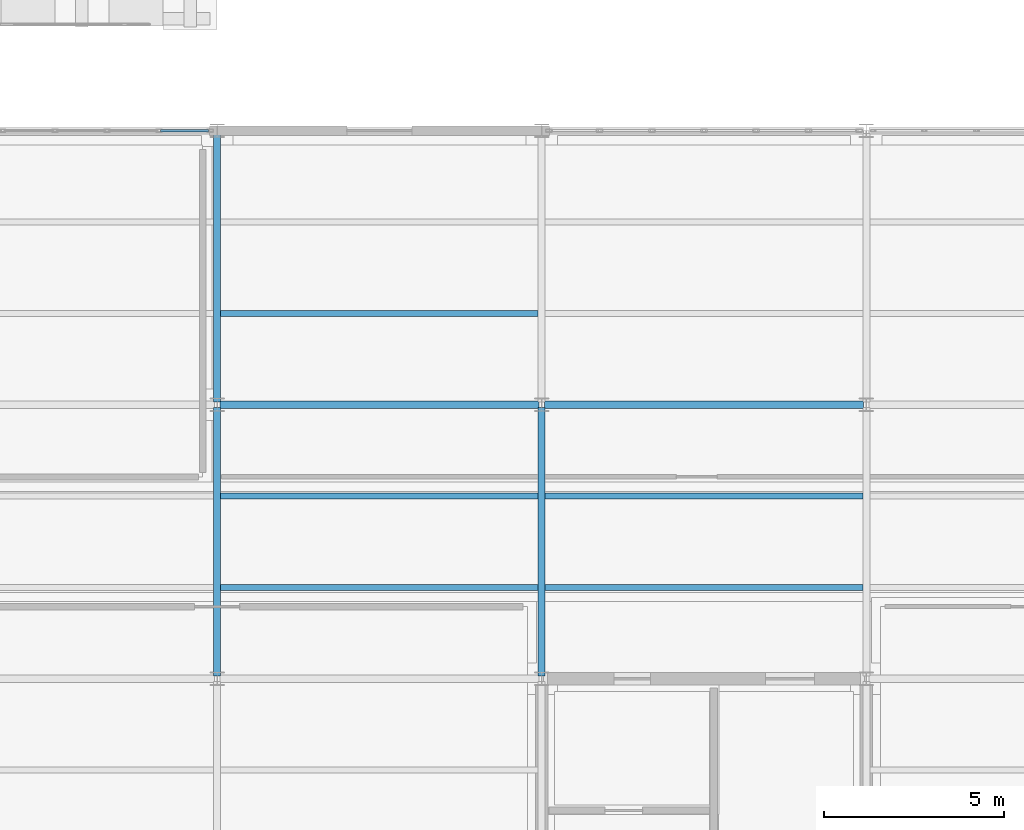
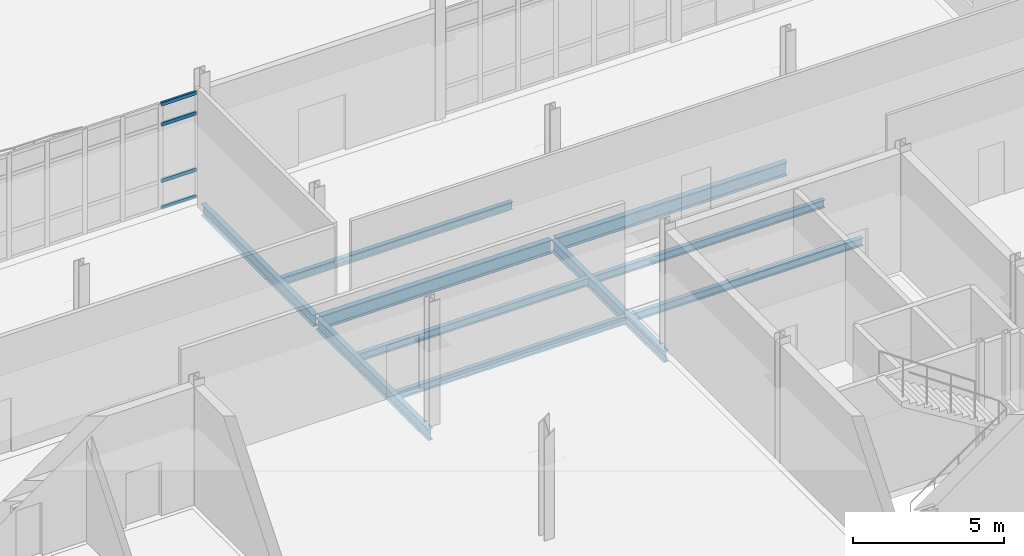
# One storey, part 56 of 161: 10 beams, 4 members, 1 element without a shape of its own.
"""IFC4 building model written with IfcOpenShell, lengths in metres."""

import ifcopenshell
import ifcopenshell.guid

model = None  # the IFC model being written
_history = None  # IfcOwnerHistory: only IFC2X3 demands one
_inside = {}  # id of a spatial element -> (the spatial element, [elements in it])
_under = {}  # id of a project, library or spatial element -> (it, [spatial elements below it])
_declared = {}  # id of a project -> (the project, [libraries it declares])
_typed = {}  # id of a type object -> (the type object, [elements of that type])
_made_of = {}  # id of a material, layer set ... -> (it, [elements and type objects made of it])


def new_model(schema):
    """Start an empty IFC model of exactly this schema.

    Asked for "IFC4X3", IfcOpenShell would pick the latest addendum, in which some entities
    have other attributes; the version numbers below select the first issue.
    IFC2X3 requires an IfcOwnerHistory on every rooted entity: one is made here for all.
    """
    global model, _history
    if schema == "IFC4X3":
        model = ifcopenshell.file(schema_version=(4, 3, 0, 0))
    else:
        model = ifcopenshell.file(schema=schema)
    _inside.clear()
    _under.clear()
    _declared.clear()
    _typed.clear()
    _made_of.clear()
    _history = None
    if model.schema == "IFC2X3":
        org = make("IfcOrganization", Name="unknown")
        user = make(
            "IfcPersonAndOrganization",
            ThePerson=make("IfcPerson", FamilyName="unknown"),
            TheOrganization=org,
        )
        app = make(
            "IfcApplication",
            ApplicationDeveloper=org,
            Version="unknown",
            ApplicationFullName="unknown",
            ApplicationIdentifier="unknown",
        )
        _history = make(
            "IfcOwnerHistory",
            OwningUser=user,
            OwningApplication=app,
            ChangeAction="ADDED",
            CreationDate=0,
        )
    return model


def make(cls, **values):
    """One entity of the class cls with the attributes given. An attribute that is None is left unset."""
    return model.create_entity(
        cls, **{name: value for name, value in values.items() if value is not None}
    )


def rooted(cls, **values):
    """An entity with a GlobalId (a new one), such as an element, a storey or a relation."""
    return make(cls, GlobalId=ifcopenshell.guid.new(), OwnerHistory=_history, **values)


def si_unit(unit_type, name, prefix=None):
    """IfcSIUnit, for example si_unit("LENGTHUNIT", "METRE", prefix="MILLI")."""
    return make("IfcSIUnit", UnitType=unit_type, Prefix=prefix, Name=name)


def assignment(units):
    """IfcUnitAssignment: the units of a project."""
    return None if units is None else make("IfcUnitAssignment", Units=units)


def point(xyz):
    """IfcCartesianPoint."""
    return None if xyz is None else make("IfcCartesianPoint", Coordinates=xyz)


def direction(xyz):
    """IfcDirection."""
    return None if xyz is None else make("IfcDirection", DirectionRatios=xyz)


def frame(location, z_axis=None, x_axis=None):
    """IfcAxis2Placement3D, a coordinate frame: its origin and axes. An axis left out is left unset."""
    return make(
        "IfcAxis2Placement3D",
        Location=point(location),
        Axis=direction(z_axis),
        RefDirection=direction(x_axis),
    )


def frame_2d(location, x_axis=None):
    """IfcAxis2Placement2D, a coordinate frame in the plane: its origin and x axis."""
    return make(
        "IfcAxis2Placement2D", Location=point(location), RefDirection=direction(x_axis)
    )


def origin():
    """The frame at (0, 0, 0) with its axes left unset."""
    return frame((0.0, 0.0, 0.0))


def origin_2d():
    """The frame at (0, 0) in the plane with its x axis left unset."""
    return frame_2d((0.0, 0.0))


def place(relative_to, where):
    """IfcLocalPlacement: puts the frame where relative to a parent placement (None: the world)."""
    return make(
        "IfcLocalPlacement", PlacementRelTo=relative_to, RelativePlacement=where
    )


def context(
    kind, dimensions, precision=None, world=None, true_north=None, identifier=None
):
    """IfcGeometricRepresentationContext, for example the 3D "Model" context."""
    return make(
        "IfcGeometricRepresentationContext",
        ContextIdentifier=identifier,
        ContextType=kind,
        CoordinateSpaceDimension=dimensions,
        Precision=precision,
        WorldCoordinateSystem=world,
        TrueNorth=true_north,
    )


def subcontext(parent, identifier, kind, view, scale=None):
    """IfcGeometricRepresentationSubContext, for example "Body" below "Model"."""
    return make(
        "IfcGeometricRepresentationSubContext",
        ContextIdentifier=identifier,
        ContextType=kind,
        ParentContext=parent,
        TargetScale=scale,
        TargetView=view,
    )


def project(units=None, contexts=None):
    """IfcProject with its units and contexts."""
    return rooted(
        "IfcProject",
        Name="project",
        RepresentationContexts=contexts,
        UnitsInContext=assignment(units),
    )


def spatial(cls, under=None, at=None, **own):
    """A site, building, storey or space (cls), placed at a placement, below another one or the project."""
    s = rooted(cls, ObjectPlacement=at, **own)
    if under is not None:
        _under.setdefault(under.id(), (under, []))[1].append(s)
    return s


def profile(cls, at=None, kind="AREA", **sizes):
    """A parametric profile (cls). Its sizes go by their IFC names, for example OverallWidth=200.0."""
    return make(cls, ProfileType=kind, Position=at, **sizes)


def hollow_rectangle(**sizes):
    """IfcRectangleHollowProfileDef."""
    return profile("IfcRectangleHollowProfileDef", **sizes)


def i_section(**sizes):
    """IfcIShapeProfileDef."""
    return profile("IfcIShapeProfileDef", **sizes)


def extrude(swept, where, along, depth):
    """IfcExtrudedAreaSolid: the profile swept, set in the frame where, extruded along a direction by depth."""
    return make(
        "IfcExtrudedAreaSolid",
        SweptArea=swept,
        Position=where,
        ExtrudedDirection=direction(along),
        Depth=depth,
    )


def shape(context_of_items, identifier, shape_type, items):
    """IfcShapeRepresentation: the items that make up one representation, for example the "Body"."""
    return make(
        "IfcShapeRepresentation",
        ContextOfItems=context_of_items,
        RepresentationIdentifier=identifier,
        RepresentationType=shape_type,
        Items=items,
    )


def material(Name=None, Category=None):
    """IfcMaterial."""
    return make("IfcMaterial", Name=Name, Category=Category)


def material_profile(
    of_material, cross_section, Name=None, Category=None, Priority=None
):
    """IfcMaterialProfile: a cross section and its material."""
    return make(
        "IfcMaterialProfile",
        Name=Name,
        Material=of_material,
        Profile=cross_section,
        Priority=Priority,
        Category=Category,
    )


def profile_set(profiles, Name=None, composite=None):
    """IfcMaterialProfileSet."""
    return make(
        "IfcMaterialProfileSet",
        Name=Name,
        MaterialProfiles=profiles,
        CompositeProfile=composite,
    )


def made_of(thing, what):
    """Note that an element or type object is made of a material, layer set ...; save() writes the relation."""
    if what is not None:
        _made_of.setdefault(what.id(), (what, []))[1].append(thing)
    return thing


def type_object(cls, material=None, **own):
    """A type object (cls), such as IfcWallType, which elements share."""
    return made_of(rooted(cls, **own), material)


def element(
    cls,
    number,
    at=None,
    inside=None,
    cuts=None,
    type_object=None,
    material=None,
    context=None,
    identifier="Body",
    shape_type=None,
    held_by="IfcProductDefinitionShape",
    body=None,
    shapes=None,
    **own,
):
    """One element of the class cls, such as IfcWall. Its Tag is "e" and its number.

    at: its placement. inside: the storey or other place that contains it. cuts: it is an
    opening in that element (IfcRelVoidsElement). A single representation is given by context,
    identifier, shape_type and body (its items); several are given by shapes. held_by: the class
    of the entity that holds the representations. save() writes the other relations.
    """
    e = rooted(cls, Tag="e%d" % number, ObjectPlacement=at, **own)
    if body is not None:
        shapes = [shape(context, identifier, shape_type, body)]
    if shapes is not None:
        e.Representation = make(held_by, Representations=shapes)
    if inside is not None:
        _inside.setdefault(inside.id(), (inside, []))[1].append(e)
    if cuts is not None:
        rooted(
            "IfcRelVoidsElement", RelatingBuildingElement=cuts, RelatedOpeningElement=e
        )
    if type_object is not None:
        _typed.setdefault(type_object.id(), (type_object, []))[1].append(e)
    return made_of(e, material)


def aggregate(whole, parts):
    """IfcRelAggregates: a whole, such as a stair, and the parts it consists of."""
    return rooted("IfcRelAggregates", RelatingObject=whole, RelatedObjects=parts)


def save(model, path):
    """Write the relations noted so far, then the file.

    IfcRelAggregates (storeys below a building ...), IfcRelContainedInSpatialStructure (elements
    in a storey), IfcRelDefinesByType, IfcRelAssociatesMaterial and IfcRelDeclares: one each for
    every whole, place, type object, material and project.
    """
    for whole, parts in _under.values():
        aggregate(whole, parts)
    for where, things in _inside.values():
        rooted(
            "IfcRelContainedInSpatialStructure",
            RelatedElements=things,
            RelatingStructure=where,
        )
    for kind, things in _typed.values():
        rooted("IfcRelDefinesByType", RelatedObjects=things, RelatingType=kind)
    for what, things in _made_of.values():
        rooted("IfcRelAssociatesMaterial", RelatedObjects=things, RelatingMaterial=what)
    for by, libraries in _declared.values():
        rooted("IfcRelDeclares", RelatingContext=by, RelatedDefinitions=libraries)
    model.write(path)


model = new_model("IFC4")

# Units and contexts
model_context = context("Model", 3, precision=1e-05, world=origin(), true_north=direction((0.0, 1.0)))
body_context = subcontext(model_context, "Body", "Model", "MODEL_VIEW")
ifc_project = project(units=[si_unit("LENGTHUNIT", "METRE"), si_unit("AREAUNIT", "SQUARE_METRE"), si_unit("VOLUMEUNIT", "CUBIC_METRE"), si_unit("PLANEANGLEUNIT", "RADIAN"), si_unit("MASSUNIT", "GRAM", prefix="KILO")], contexts=[model_context])

# Site, building, storey
site_placement = place(None, origin())
site = spatial("IfcSite", under=ifc_project, at=site_placement, CompositionType="ELEMENT")
building_placement = place(site_placement, origin())
building = spatial("IfcBuilding", under=site, at=building_placement, Name="Caisbarro Railhouse Central Library", CompositionType="ELEMENT")
storey_placement = place(building_placement, origin())
storey = spatial("IfcBuildingStorey", under=building, at=storey_placement, Name="L00", CompositionType="ELEMENT", Elevation=0.0)

# Beams
ifc_material_1 = material(Name="Steel ASTM A572 Grade 50", Category="steel")
ifc_material_profile_1 = material_profile(ifc_material_1, i_section(OverallWidth=0.2119140625, OverallDepth=0.5439453125, WebThickness=0.01318359375, FlangeThickness=0.021240234375, FilletRadius=0.02001953125, at=origin_2d()), Name="W530X123.0")
ifc_profile_set_1 = profile_set([ifc_material_profile_1], Name="Steel ASTM A572 Grade 50")
beam_type_1 = type_object("IfcBeamType", Name="BM-G05", PredefinedType="BEAM", material=ifc_profile_set_1)
for number, where, z_axis, x_axis, name in (
    (1, (81.080078125, 22.800048828125, -0.552001953125), (1.0, 0.0, 0.0), (0.0, 1.0, 0.0), "G05 beam L00 #171"),
    (2, (90.080078125, 22.800048828125, -0.552001953125), (1.0, 0.0, 0.0), (0.0, 1.0, 0.0), "G05 beam L00 #172"),
):
    element("IfcBeam", number, at=place(storey_placement, frame(where, z_axis=z_axis, x_axis=x_axis)), inside=storey, type_object=beam_type_1, Name=name, PredefinedType="BEAM", context=body_context, shape_type="SweptSolid", body=[
        extrude(i_section(OverallWidth=0.2119140625, OverallDepth=0.5439453125, WebThickness=0.01318359375, FlangeThickness=0.021240234375, FilletRadius=0.02001953125, at=origin_2d()), origin(), (0.0, 0.0, 1.0), 8.83984375),
    ])
ifc_material_profile_2 = material_profile(ifc_material_1, i_section(OverallWidth=0.194091796875, OverallDepth=0.468994140625, WebThickness=0.0126953125, FlangeThickness=0.0205078125, FilletRadius=0.01806640625, at=origin_2d()), Name="W460X106.0")
ifc_profile_set_2 = profile_set([ifc_material_profile_2], Name="Steel ASTM A572 Grade 50")
beam_type_2 = type_object("IfcBeamType", Name="BM-G07", PredefinedType="BEAM", material=ifc_profile_set_2)
beam_1_placement = place(storey_placement, frame((81.0, 15.280029296875, -0.514404296875), z_axis=(0.0, 1.0, 0.0), x_axis=(-1.0, 0.0, 0.0)))
element("IfcBeam", 3, at=beam_1_placement, inside=storey, type_object=beam_type_2, Name="G07 beam L00 #191", PredefinedType="BEAM", context=body_context, shape_type="SweptSolid", body=[
    extrude(i_section(OverallWidth=0.194091796875, OverallDepth=0.468994140625, WebThickness=0.0126953125, FlangeThickness=0.0205078125, FilletRadius=0.01806640625, at=origin_2d()), origin(), (0.0, 0.0, 1.0), 7.43994140625),
])
beam_2_placement = place(storey_placement, frame((81.0, 22.8798828125, -0.514404296875), z_axis=(0.0, 1.0, 0.0), x_axis=(-1.0, 0.0, 0.0)))
element("IfcBeam", 4, at=beam_2_placement, inside=storey, type_object=beam_type_2, Name="G07 beam L00 #192", PredefinedType="BEAM", context=body_context, shape_type="SweptSolid", body=[
    extrude(i_section(OverallWidth=0.194091796875, OverallDepth=0.468994140625, WebThickness=0.0126953125, FlangeThickness=0.0205078125, FilletRadius=0.01806640625, at=origin_2d()), origin(), (0.0, 0.0, 1.0), 7.440185546875),
])
beam_3_placement = place(storey_placement, frame((90.0, 15.280029296875, -0.514404296875), z_axis=(0.0, 1.0, 0.0), x_axis=(-1.0, 0.0, 0.0)))
element("IfcBeam", 5, at=beam_3_placement, inside=storey, type_object=beam_type_2, Name="G07 beam L00 #195", PredefinedType="BEAM", context=body_context, shape_type="SweptSolid", body=[
    extrude(i_section(OverallWidth=0.194091796875, OverallDepth=0.468994140625, WebThickness=0.0126953125, FlangeThickness=0.0205078125, FilletRadius=0.01806640625, at=origin_2d()), origin(), (0.0, 0.0, 1.0), 7.43994140625),
])
ifc_material_profile_3 = material_profile(ifc_material_1, i_section(OverallWidth=0.1669921875, OverallDepth=0.31689453125, WebThickness=0.007568359375, FlangeThickness=0.01318359375, FilletRadius=0.011962890625, at=origin_2d()), Name="W310X52.0")
ifc_profile_set_3 = profile_set([ifc_material_profile_3], Name="Steel ASTM A572 Grade 50")
beam_type_3 = type_object("IfcBeamType", Name="BM-J02", PredefinedType="JOIST", material=ifc_profile_set_3)
for number, where, z_axis, x_axis, name in (
    (6, (81.096923828125, 17.7333984375, -0.4384765625), (1.0, 0.0, 0.0), (0.0, 1.0, 0.0), "J02 beam L00 #229"),
    (7, (81.096923828125, 20.2666015625, -0.4384765625), (1.0, 0.0, 0.0), (0.0, 1.0, 0.0), "J02 beam L00 #230"),
    (8, (81.096923828125, 25.333251953125, -0.4384765625), (1.0, 0.0, 0.0), (0.0, 1.0, 0.0), "J02 beam L00 #231"),
    (9, (90.096923828125, 17.7333984375, -0.4384765625), (1.0, 0.0, 0.0), (0.0, 1.0, 0.0), "J02 beam L00 #233"),
    (10, (90.096923828125, 20.2666015625, -0.4384765625), (1.0, 0.0, 0.0), (0.0, 1.0, 0.0), "J02 beam L00 #234"),
):
    element("IfcBeam", number, at=place(storey_placement, frame(where, z_axis=z_axis, x_axis=x_axis)), inside=storey, type_object=beam_type_3, Name=name, PredefinedType="JOIST", context=body_context, shape_type="SweptSolid", body=[
        extrude(i_section(OverallWidth=0.1669921875, OverallDepth=0.31689453125, WebThickness=0.007568359375, FlangeThickness=0.01318359375, FilletRadius=0.011962890625, at=origin_2d()), origin(), (0.0, 0.0, 1.0), 8.80615234375),
    ])

# Curtain wall, members
ifc_material_2 = material(Name="Anodised architectural aluminium", Category="aluminium")
curtain_wall_type = type_object("IfcCurtainWallType", Name="CW-CW02", PredefinedType="NOTDEFINED", material=ifc_material_2)
curtain_wall_placement = place(storey_placement, origin())
curtain_wall = element("IfcCurtainWall", 11, at=curtain_wall_placement, inside=storey, type_object=curtain_wall_type, Name="CW02 curtain wall L00 #51", PredefinedType="NOTDEFINED")
ifc_material_profile_4 = material_profile(ifc_material_2, hollow_rectangle(XDim=0.074951171875, YDim=0.139892578125, WallThickness=0.00390625, at=origin_2d()), Name="ALU-TRN-75X140")
ifc_profile_set_4 = profile_set([ifc_material_profile_4], Name="Anodised architectural aluminium")
member_type = type_object("IfcMemberType", Name="CWT-T01", PredefinedType="USERDEFINED", material=ifc_profile_set_4)
member_1_placement = place(storey_placement, frame((79.430908203125, 30.39990234375, 0.03759765625), z_axis=(1.0, 0.0, 0.0), x_axis=(0.0, 1.0, 0.0)))
member_1 = element("IfcMember", 12, at=member_1_placement, type_object=member_type, Name="CW02 transom 6.1", ObjectType="TRANSOM", PredefinedType="USERDEFINED", context=body_context, shape_type="SweptSolid", body=[
    extrude(hollow_rectangle(XDim=0.074951171875, YDim=0.139892578125, WallThickness=0.00390625, at=origin_2d()), origin(), (0.0, 0.0, 1.0), 1.333984375),
])
member_2_placement = place(storey_placement, frame((79.430908203125, 30.39990234375, 1.1201171875), z_axis=(1.0, 0.0, 0.0), x_axis=(0.0, 1.0, 0.0)))
member_2 = element("IfcMember", 13, at=member_2_placement, type_object=member_type, Name="CW02 transom 6.2", ObjectType="TRANSOM", PredefinedType="USERDEFINED", context=body_context, shape_type="SweptSolid", body=[
    extrude(hollow_rectangle(XDim=0.074951171875, YDim=0.139892578125, WallThickness=0.00390625, at=origin_2d()), origin(), (0.0, 0.0, 1.0), 1.333984375),
])
member_3_placement = place(storey_placement, frame((79.430908203125, 30.39990234375, 3.39990234375), z_axis=(1.0, 0.0, 0.0), x_axis=(0.0, 1.0, 0.0)))
member_3 = element("IfcMember", 14, at=member_3_placement, type_object=member_type, Name="CW02 transom 6.3", ObjectType="TRANSOM", PredefinedType="USERDEFINED", context=body_context, shape_type="SweptSolid", body=[
    extrude(hollow_rectangle(XDim=0.074951171875, YDim=0.139892578125, WallThickness=0.00390625, at=origin_2d()), origin(), (0.0, 0.0, 1.0), 1.333984375),
])
member_4_placement = place(storey_placement, frame((79.430908203125, 30.39990234375, 4.21240234375), z_axis=(1.0, 0.0, 0.0), x_axis=(0.0, 1.0, 0.0)))
member_4 = element("IfcMember", 15, at=member_4_placement, type_object=member_type, Name="CW02 transom 6.4", ObjectType="TRANSOM", PredefinedType="USERDEFINED", context=body_context, shape_type="SweptSolid", body=[
    extrude(hollow_rectangle(XDim=0.074951171875, YDim=0.139892578125, WallThickness=0.00390625, at=origin_2d()), origin(), (0.0, 0.0, 1.0), 1.333984375),
])
aggregate(curtain_wall, [member_1, member_2, member_3, member_4])

save(model, "model.ifc")
